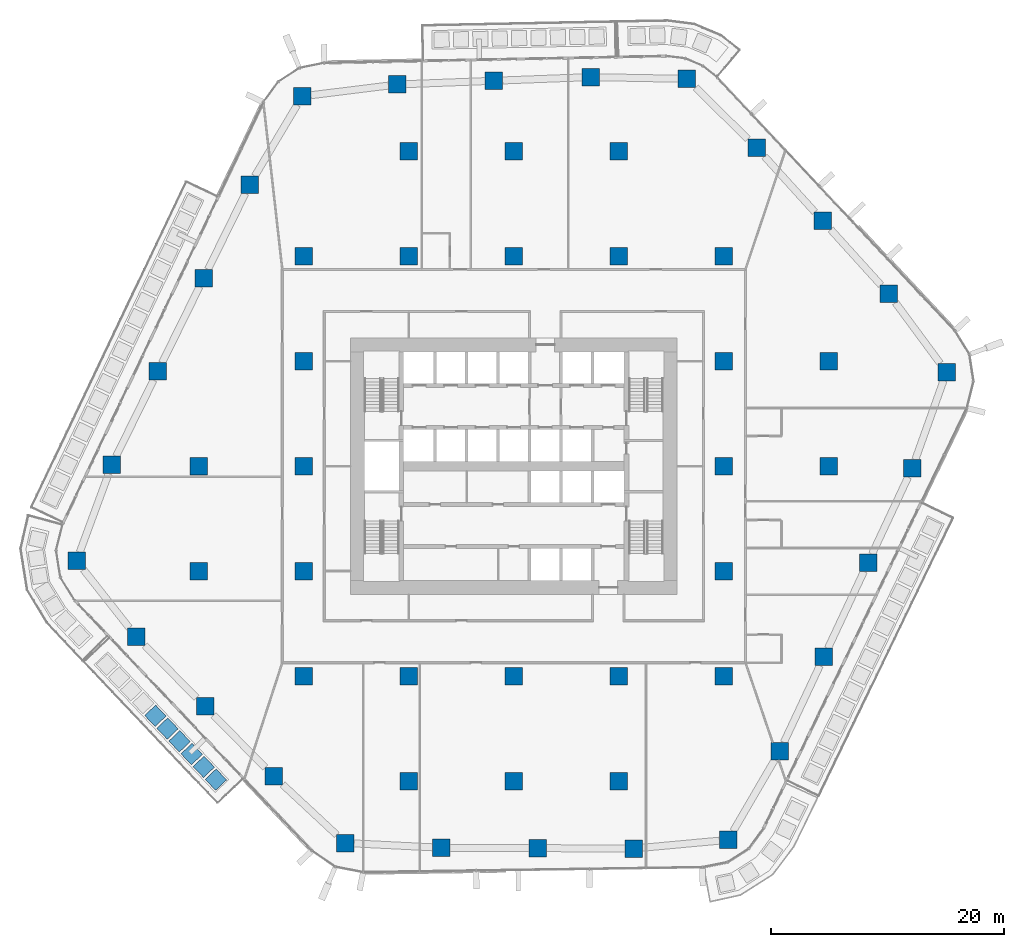
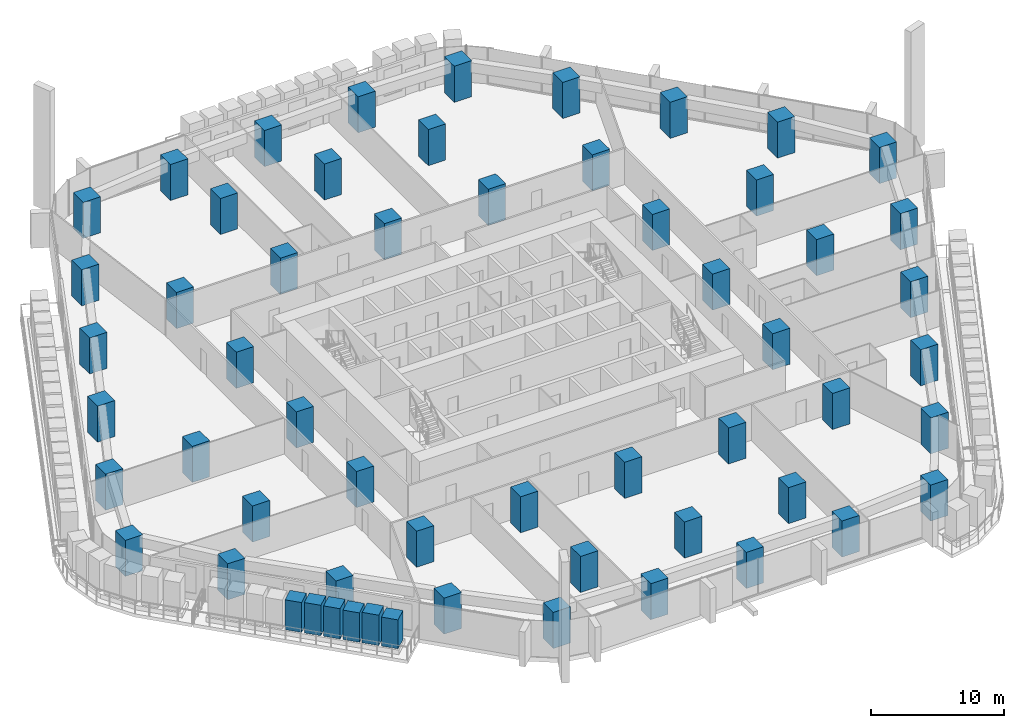
# One storey, part 1 of 24: 52 columns, 6 members.
"""IFC4 building model written with IfcOpenShell, lengths in metres."""

from ifc_helpers import new_model, si_unit, direction, frame, origin, origin_2d, place, context, subcontext, project, spatial, rectangle, extrude, material, material_profile, profile_set, type_object, element, save


model = new_model("IFC4")

# Units and contexts
model_context = context("Model", 3, precision=1e-05, world=origin(), true_north=direction((0.0, 1.0)))
body_context = subcontext(model_context, "Body", "Model", "MODEL_VIEW")
ifc_project = project(units=[si_unit("LENGTHUNIT", "METRE"), si_unit("AREAUNIT", "SQUARE_METRE"), si_unit("VOLUMEUNIT", "CUBIC_METRE"), si_unit("PLANEANGLEUNIT", "RADIAN"), si_unit("MASSUNIT", "GRAM", prefix="KILO")], contexts=[model_context])

# Site, building, storey
site_placement = place(None, origin())
site = spatial("IfcSite", under=ifc_project, at=site_placement, CompositionType="ELEMENT")
building_placement = place(site_placement, origin())
building = spatial("IfcBuilding", under=site, at=building_placement, Name="Dongbaek Canopy Tower", CompositionType="ELEMENT")
storey_placement = place(building_placement, frame((0.0, 0.0, 44.0)))
storey = spatial("IfcBuildingStorey", under=building, at=storey_placement, Name="L06", CompositionType="ELEMENT", Elevation=44.0)

# Columns
ifc_material_1 = material(Name="Concrete C80", Category="concrete")
ifc_material_profile_1 = material_profile(ifc_material_1, rectangle(XDim=1.5, YDim=1.5, at=origin_2d()), Name="RC COLUMN 1500x1500 C80")
ifc_profile_set_1 = profile_set([ifc_material_profile_1], Name="Concrete C80")
column_type = type_object("IfcColumnType", Name="RC COLUMN 1500x1500 C80", PredefinedType="COLUMN", material=ifc_profile_set_1)
for number, where, z_axis, x_axis, name in (
    (1, (18.367919921875, -32.04296875, 0.0), (0.0, 0.0, 1.0), (1.0, 0.0, 0.0), "COL:CZ1-01:L06"),
    (2, (10.277099609375, -32.7900390625, 0.0), (0.0, 0.0, 1.0), (1.0, 0.0, 0.0), "COL:CZ1-02:L06"),
    (3, (2.027099609375, -32.7529296875, 0.0), (0.0, 0.0, 1.0), (1.0, 0.0, 0.0), "COL:CZ1-03:L06"),
    (4, (-6.221923828125, -32.717041015625, 0.0), (0.0, 0.0, 1.0), (1.0, 0.0, 0.0), "COL:CZ1-04:L06"),
    (5, (-14.43408203125, -32.31298828125, 0.0), (0.0, 0.0, 1.0), (1.0, 0.0, 0.0), "COL:CZ1-05:L06"),
    (6, (-20.573974609375, -26.60205078125, 0.0), (0.0, 0.0, 1.0), (1.0, 0.0, 0.0), "COL:CZ1-06:L06"),
    (7, (-26.47802734375, -20.60791015625, 0.0), (0.0, 0.0, 1.0), (1.0, 0.0, 0.0), "COL:CZ1-07:L06"),
    (8, (-32.382080078125, -14.613037109375, 0.0), (0.0, 0.0, 1.0), (1.0, 0.0, 0.0), "COL:CZ1-08:L06"),
    (9, (-37.489013671875, -8.123046875, 0.0), (0.0, 0.0, 1.0), (1.0, 0.0, 0.0), "COL:CZ1-09:L06"),
    (10, (-34.462890625, 0.10302734375, 0.0), (0.0, 0.0, 1.0), (1.0, 0.0, 0.0), "COL:CZ1-10:L06"),
    (11, (-30.52490234375, 8.111083984375, 0.0), (0.0, 0.0, 1.0), (1.0, 0.0, 0.0), "COL:CZ1-11:L06"),
    (12, (-26.5859375, 16.117919921875, 0.0), (0.0, 0.0, 1.0), (1.0, 0.0, 0.0), "COL:CZ1-12:L06"),
    (13, (-22.64794921875, 24.125, 0.0), (0.0, 0.0, 1.0), (1.0, 0.0, 0.0), "COL:CZ1-13:L06"),
    (14, (-18.138916015625, 31.698974609375, 0.0), (0.0, 0.0, 1.0), (1.0, 0.0, 0.0), "COL:CZ1-14:L06"),
    (15, (-10.006103515625, 32.714111328125, 0.0), (0.0, 0.0, 1.0), (1.0, 0.0, 0.0), "COL:CZ1-15:L06"),
    (16, (-1.7080078125, 33.031982421875, 0.0), (0.0, 0.0, 1.0), (1.0, 0.0, 0.0), "COL:CZ1-16:L06"),
    (17, (6.589111328125, 33.34912109375, 0.0), (0.0, 0.0, 1.0), (1.0, 0.0, 0.0), "COL:CZ1-17:L06"),
    (18, (14.830078125, 33.194091796875, 0.0), (0.0, 0.0, 1.0), (1.0, 0.0, 0.0), "COL:CZ1-18:L06"),
    (19, (20.804931640625, 27.297119140625, 0.0), (0.0, 0.0, 1.0), (1.0, 0.0, 0.0), "COL:CZ1-19:L06"),
    (20, (26.48193359375, 21.029052734375, 0.0), (0.0, 0.0, 1.0), (1.0, 0.0, 0.0), "COL:CZ1-20:L06"),
    (21, (32.157958984375, 14.760986328125, 0.0), (0.0, 0.0, 1.0), (1.0, 0.0, 0.0), "COL:CZ1-21:L06"),
    (22, (37.097900390625, 8.06591796875, 0.0), (0.0, 0.0, 1.0), (1.0, 0.0, 0.0), "COL:CZ1-22:L06"),
    (23, (34.14306640625, -0.205078125, 0.0), (0.0, 0.0, 1.0), (1.0, 0.0, 0.0), "COL:CZ1-23:L06"),
    (24, (30.360107421875, -8.283935546875, 0.0), (0.0, 0.0, 1.0), (1.0, 0.0, 0.0), "COL:CZ1-24:L06"),
    (25, (26.575927734375, -16.364013671875, 0.0), (0.0, 0.0, 1.0), (1.0, 0.0, 0.0), "COL:CZ1-25:L06"),
    (26, (22.7919921875, -24.443115234375, 0.0), (0.0, 0.0, 1.0), (1.0, 0.0, 0.0), "COL:CZ1-26:L06"),
    (27, (-27.0, -9.0, 0.0), (0.0, 0.0, 1.0), (1.0, 0.0, 0.0), "COL:CIZ1-01:L06"),
    (28, (-27.0, 0.0, 0.0), (0.0, 0.0, 1.0), (1.0, 0.0, 0.0), "COL:CIZ1-02:L06"),
    (29, (-18.0, -18.0, 0.0), (0.0, 0.0, 1.0), (1.0, 0.0, 0.0), "COL:CIZ1-03:L06"),
    (30, (-18.0, -9.0, 0.0), (0.0, 0.0, 1.0), (1.0, 0.0, 0.0), "COL:CIZ1-04:L06"),
    (31, (-18.0, 0.0, 0.0), (0.0, 0.0, 1.0), (1.0, 0.0, 0.0), "COL:CIZ1-05:L06"),
    (32, (-18.0, 9.0, 0.0), (0.0, 0.0, 1.0), (1.0, 0.0, 0.0), "COL:CIZ1-06:L06"),
    (33, (-18.0, 18.0, 0.0), (0.0, 0.0, 1.0), (1.0, 0.0, 0.0), "COL:CIZ1-07:L06"),
    (34, (-9.0, -27.0, 0.0), (0.0, 0.0, 1.0), (1.0, 0.0, 0.0), "COL:CIZ1-08:L06"),
    (35, (-9.0, -18.0, 0.0), (0.0, 0.0, 1.0), (1.0, 0.0, 0.0), "COL:CIZ1-09:L06"),
    (36, (-9.0, 18.0, 0.0), (0.0, 0.0, 1.0), (1.0, 0.0, 0.0), "COL:CIZ1-10:L06"),
    (37, (-9.0, 27.0, 0.0), (0.0, 0.0, 1.0), (1.0, 0.0, 0.0), "COL:CIZ1-11:L06"),
    (38, (0.0, -27.0, 0.0), (0.0, 0.0, 1.0), (1.0, 0.0, 0.0), "COL:CIZ1-12:L06"),
    (39, (0.0, -18.0, 0.0), (0.0, 0.0, 1.0), (1.0, 0.0, 0.0), "COL:CIZ1-13:L06"),
    (40, (0.0, 18.0, 0.0), (0.0, 0.0, 1.0), (1.0, 0.0, 0.0), "COL:CIZ1-14:L06"),
    (41, (0.0, 27.0, 0.0), (0.0, 0.0, 1.0), (1.0, 0.0, 0.0), "COL:CIZ1-15:L06"),
    (42, (9.0, -27.0, 0.0), (0.0, 0.0, 1.0), (1.0, 0.0, 0.0), "COL:CIZ1-16:L06"),
    (43, (9.0, -18.0, 0.0), (0.0, 0.0, 1.0), (1.0, 0.0, 0.0), "COL:CIZ1-17:L06"),
    (44, (9.0, 18.0, 0.0), (0.0, 0.0, 1.0), (1.0, 0.0, 0.0), "COL:CIZ1-18:L06"),
    (45, (9.0, 27.0, 0.0), (0.0, 0.0, 1.0), (1.0, 0.0, 0.0), "COL:CIZ1-19:L06"),
    (46, (18.0, -18.0, 0.0), (0.0, 0.0, 1.0), (1.0, 0.0, 0.0), "COL:CIZ1-20:L06"),
    (47, (18.0, -9.0, 0.0), (0.0, 0.0, 1.0), (1.0, 0.0, 0.0), "COL:CIZ1-21:L06"),
    (48, (18.0, 0.0, 0.0), (0.0, 0.0, 1.0), (1.0, 0.0, 0.0), "COL:CIZ1-22:L06"),
    (49, (18.0, 9.0, 0.0), (0.0, 0.0, 1.0), (1.0, 0.0, 0.0), "COL:CIZ1-23:L06"),
    (50, (18.0, 18.0, 0.0), (0.0, 0.0, 1.0), (1.0, 0.0, 0.0), "COL:CIZ1-24:L06"),
    (51, (27.0, 0.0, 0.0), (0.0, 0.0, 1.0), (1.0, 0.0, 0.0), "COL:CIZ1-25:L06"),
    (52, (27.0, 9.0, 0.0), (0.0, 0.0, 1.0), (1.0, 0.0, 0.0), "COL:CIZ1-26:L06"),
):
    element("IfcColumn", number, at=place(storey_placement, frame(where, z_axis=z_axis, x_axis=x_axis)), inside=storey, type_object=column_type, Name=name, PredefinedType="COLUMN", context=body_context, shape_type="SweptSolid", body=[
        extrude(rectangle(XDim=1.5, YDim=1.5, at=origin_2d()), origin(), (0.0, 0.0, 1.0), 3.300048828125),
    ])

# Members
ifc_material_2 = material(Name="Concrete C40/50 planter mass with planting", Category="concrete")
ifc_material_profile_2 = material_profile(ifc_material_2, rectangle(XDim=1.300048828125, YDim=1.300048828125, at=origin_2d()), Name="Terrace PLANTER shrub mass 1300 x 1300")
ifc_profile_set_2 = profile_set([ifc_material_profile_2], Name="Concrete C40/50 planter mass with planting")
member_type = type_object("IfcMemberType", Name="Terrace PLANTER shrub mass 1300 x 1300", PredefinedType="USERDEFINED", material=ifc_profile_set_2)
member_1_placement = place(storey_placement, frame((-30.7333984375, -21.40771484375, 0.419921875), z_axis=(0.0, 0.0, 1.0), x_axis=(-0.725626548924, -0.688088738098, 0.0)))
element("IfcMember", 53, at=member_1_placement, inside=storey, type_object=member_type, Name="Planter shrubs L06 3.5", ObjectType="PLANTER", PredefinedType="USERDEFINED", context=body_context, shape_type="SweptSolid", body=[
    extrude(rectangle(XDim=1.300048828125, YDim=1.300048828125, at=origin_2d()), origin(), (0.0, 0.0, 1.0), 2.72998046875),
])
member_2_placement = place(storey_placement, frame((-29.695556640625, -22.501953125, 0.419921875), z_axis=(0.0, 0.0, 1.0), x_axis=(-0.725626548924, -0.688088738098, 0.0)))
element("IfcMember", 54, at=member_2_placement, inside=storey, type_object=member_type, Name="Planter shrubs L06 3.6", ObjectType="PLANTER", PredefinedType="USERDEFINED", context=body_context, shape_type="SweptSolid", body=[
    extrude(rectangle(XDim=1.300048828125, YDim=1.300048828125, at=origin_2d()), origin(), (0.0, 0.0, 1.0), 2.780029296875),
])
member_3_placement = place(storey_placement, frame((-28.657958984375, -23.596435546875, 0.419921875), z_axis=(0.0, 0.0, 1.0), x_axis=(-0.725626548924, -0.688088738098, 0.0)))
element("IfcMember", 55, at=member_3_placement, inside=storey, type_object=member_type, Name="Planter shrubs L06 3.7", ObjectType="PLANTER", PredefinedType="USERDEFINED", context=body_context, shape_type="SweptSolid", body=[
    extrude(rectangle(XDim=1.300048828125, YDim=1.300048828125, at=origin_2d()), origin(), (0.0, 0.0, 1.0), 2.77001953125),
])
member_4_placement = place(storey_placement, frame((-27.6201171875, -24.69091796875, 0.419921875), z_axis=(0.0, 0.0, 1.0), x_axis=(-0.725626548924, -0.688088738098, 0.0)))
element("IfcMember", 56, at=member_4_placement, inside=storey, type_object=member_type, Name="Planter shrubs L06 3.8", ObjectType="PLANTER", PredefinedType="USERDEFINED", context=body_context, shape_type="SweptSolid", body=[
    extrude(rectangle(XDim=1.300048828125, YDim=1.300048828125, at=origin_2d()), origin(), (0.0, 0.0, 1.0), 2.690185546875),
])
member_5_placement = place(storey_placement, frame((-26.582275390625, -25.78515625, 0.419921875), z_axis=(0.0, 0.0, 1.0), x_axis=(-0.725626548924, -0.688088738098, 0.0)))
element("IfcMember", 57, at=member_5_placement, inside=storey, type_object=member_type, Name="Planter shrubs L06 3.9", ObjectType="PLANTER", PredefinedType="USERDEFINED", context=body_context, shape_type="SweptSolid", body=[
    extrude(rectangle(XDim=1.300048828125, YDim=1.300048828125, at=origin_2d()), origin(), (0.0, 0.0, 1.0), 2.780029296875),
])
member_6_placement = place(storey_placement, frame((-25.54443359375, -26.879638671875, 0.419921875), z_axis=(0.0, 0.0, 1.0), x_axis=(-0.725626548924, -0.688088738098, 0.0)))
element("IfcMember", 58, at=member_6_placement, inside=storey, type_object=member_type, Name="Planter shrubs L06 3.10", ObjectType="PLANTER", PredefinedType="USERDEFINED", context=body_context, shape_type="SweptSolid", body=[
    extrude(rectangle(XDim=1.300048828125, YDim=1.300048828125, at=origin_2d()), origin(), (0.0, 0.0, 1.0), 2.650146484375),
])

save(model, "model.ifc")
